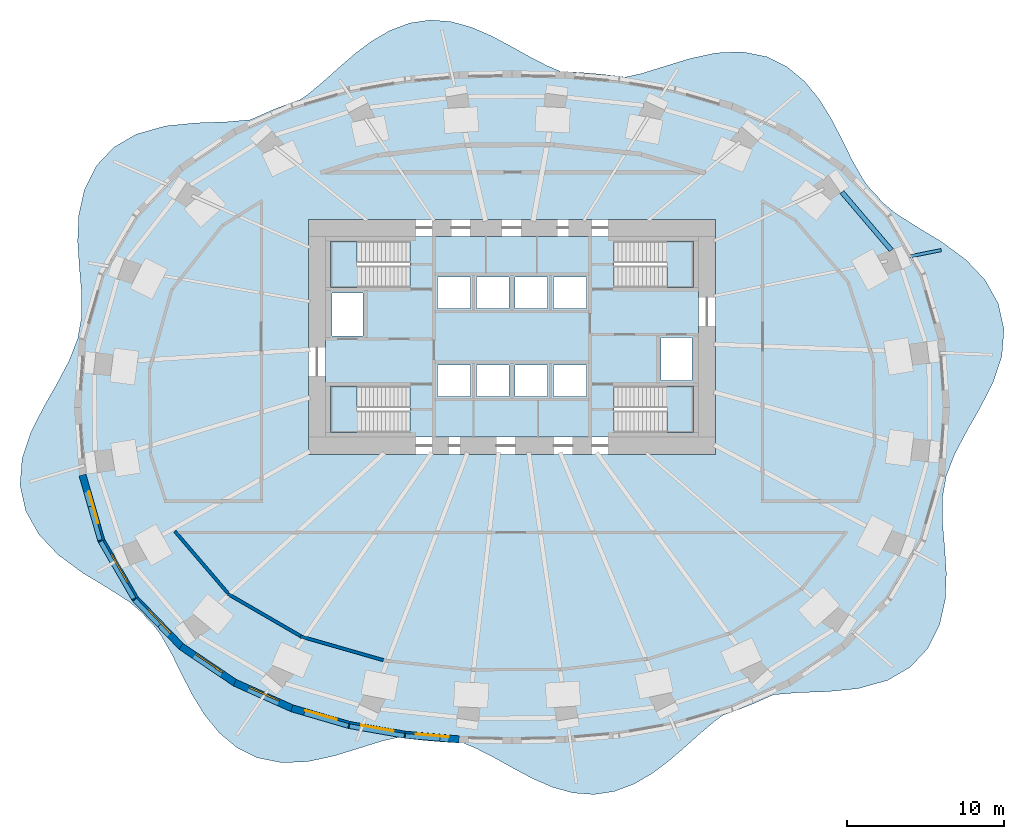
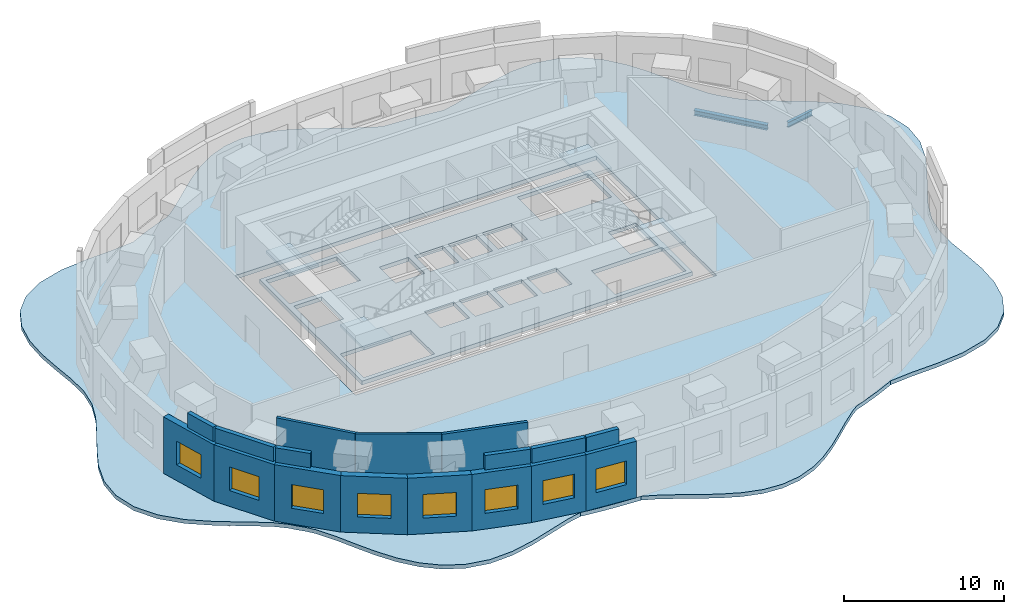
# One storey, part 3 of 9: 17 walls, 8 windows, 6 slabs, 2 beams, 8 openings, 4 elements without a shape of their own.
"""IFC4 building model written with IfcOpenShell, lengths in metres."""

from ifc_helpers import new_model, si_unit, direction, frame, frame_2d, origin, origin_2d, place, context, subcontext, project, spatial, polyline, rectangle, i_section, outline, extrude, material, layer, layer_set, material_profile, profile_set, type_object, element, fill, aggregate, save


model = new_model("IFC4")

# Units and contexts
model_context = context("Model", 3, precision=1e-05, world=origin(), true_north=direction((0.0, 1.0)))
body_context = subcontext(model_context, "Body", "Model", "MODEL_VIEW")
ifc_project = project(units=[si_unit("LENGTHUNIT", "METRE"), si_unit("AREAUNIT", "SQUARE_METRE"), si_unit("VOLUMEUNIT", "CUBIC_METRE"), si_unit("PLANEANGLEUNIT", "RADIAN"), si_unit("MASSUNIT", "GRAM", prefix="KILO")], contexts=[model_context])

# Site, building, storey
site_placement = place(None, origin())
site = spatial("IfcSite", under=ifc_project, at=site_placement, CompositionType="ELEMENT")
building_placement = place(site_placement, origin())
building = spatial("IfcBuilding", under=site, at=building_placement, Name="Rubra Terraces Tower", CompositionType="ELEMENT")
storey_placement = place(building_placement, frame((0.0, 0.0, 77.10009765625)))
storey = spatial("IfcBuildingStorey", under=building, at=storey_placement, Name="L17", CompositionType="ELEMENT", Elevation=77.10009765625)

# Beams
ifc_material_1 = material(Name="Steel Q355B", Category="steel")
ifc_material_profile_1 = material_profile(ifc_material_1, i_section(OverallWidth=0.199951171875, OverallDepth=0.39990234375, WebThickness=0.008056640625, FlangeThickness=0.012939453125, at=origin_2d()), Name="HN 400x200x8x13")
ifc_profile_set_1 = profile_set([ifc_material_profile_1], Name="Steel Q355B")
beam_type_1 = type_object("IfcBeamType", Name="CANTILEVER BEAM HN 400x200x8x13", PredefinedType="BEAM", material=ifc_profile_set_1)
beam_1_placement = place(storey_placement, frame((25.39599609375, 9.6279296875, -0.5), z_axis=(0.980195903265, 0.198030278548, 0.0), x_axis=(-0.198030278548, 0.980195903265, 0.0)))
element("IfcBeam", 1, at=beam_1_placement, inside=storey, type_object=beam_type_1, Name="beam-L17-cant-02", PredefinedType="BEAM", context=body_context, shape_type="SweptSolid", body=[
    extrude(i_section(OverallWidth=0.199951171875, OverallDepth=0.39990234375, WebThickness=0.008056640625, FlangeThickness=0.012939453125, at=origin_2d()), origin(), (0.0, 0.0, 1.0), 2.035400390625),
])
ifc_material_profile_2 = material_profile(ifc_material_1, i_section(OverallWidth=0.300048828125, OverallDepth=0.389892578125, WebThickness=0.010009765625, FlangeThickness=0.01611328125, at=origin_2d()), Name="HM 390x300x10x16")
ifc_profile_set_2 = profile_set([ifc_material_profile_2], Name="Steel Q355B")
beam_type_2 = type_object("IfcBeamType", Name="SPANDREL BEAM HM 390x300x10x16", PredefinedType="SPANDREL", material=ifc_profile_set_2)
beam_2_placement = place(storey_placement, frame((24.212890625, 10.02587890625, -0.4951171875), z_axis=(-0.648447050824, 0.761259760054, 0.0), x_axis=(-0.761259760054, -0.648447050824, 0.0)))
element("IfcBeam", 2, at=beam_2_placement, inside=storey, type_object=beam_type_2, Name="beam-L17-spandrel-02", PredefinedType="SPANDREL", context=body_context, shape_type="SweptSolid", body=[
    extrude(i_section(OverallWidth=0.300048828125, OverallDepth=0.389892578125, WebThickness=0.010009765625, FlangeThickness=0.01611328125, at=origin_2d()), origin(), (0.0, 0.0, 1.0), 4.860595703125),
])

# Slab
ifc_material_2 = material(Name="Concrete C40", Category="concrete")
ifc_layer_1 = layer(ifc_material_2, 0.300048828125)
ifc_layer_set_1 = layer_set([ifc_layer_1], Name="Concrete C40")
slab_type_1 = type_object("IfcSlabType", Name="Core floor slab 300 concrete", PredefinedType="FLOOR", material=ifc_layer_set_1)
slab_1_placement = place(storey_placement, frame((0.0, 0.0, -0.300048828125)))
element("IfcSlab", 3, at=slab_1_placement, inside=storey, type_object=slab_type_1, Name="CORE FLOOR SLAB L17", PredefinedType="FLOOR", context=body_context, shape_type="SweptSolid", body=[
    extrude(outline(polyline([(-11.89990234375, -1.89990234375), (-11.89990234375, 10.89990234375), (11.89990234375, 10.89990234375), (11.89990234375, -1.89990234375), (-11.89990234375, -1.89990234375)]), holes=[polyline([(11.597900390625, 1.347900390625), (6.501953125, 1.347900390625), (6.501953125, -1.597900390625), (11.597900390625, -1.597900390625), (11.597900390625, 1.347900390625)]), polyline([(11.597900390625, 7.652099609375), (11.597900390625, 10.597900390625), (6.501953125, 10.597900390625), (6.501953125, 7.652099609375), (11.597900390625, 7.652099609375)]), polyline([(9.5, 1.699951171875), (11.5, 1.699951171875), (11.5, 4.449951171875), (9.5, 4.449951171875), (9.5, 1.699951171875)]), polyline([(4.75, 0.699951171875), (4.75, 2.699951171875), (2.64990234375, 2.699951171875), (2.64990234375, 0.699951171875), (4.75, 0.699951171875)]), polyline([(4.75, 6.300048828125), (4.75, 8.300048828125), (2.64990234375, 8.300048828125), (2.64990234375, 6.300048828125), (4.75, 6.300048828125)]), polyline([(2.25, 0.699951171875), (2.25, 2.699951171875), (0.199951171875, 2.699951171875), (0.199951171875, 0.699951171875), (2.25, 0.699951171875)]), polyline([(2.25, 6.300048828125), (2.25, 8.300048828125), (0.199951171875, 8.300048828125), (0.199951171875, 6.300048828125), (2.25, 6.300048828125)]), polyline([(-0.199951171875, 0.699951171875), (-0.199951171875, 2.699951171875), (-2.25, 2.699951171875), (-2.25, 0.699951171875), (-0.199951171875, 0.699951171875)]), polyline([(-0.199951171875, 6.300048828125), (-0.199951171875, 8.300048828125), (-2.25, 8.300048828125), (-2.25, 6.300048828125), (-0.199951171875, 6.300048828125)]), polyline([(-2.64990234375, 0.699951171875), (-2.64990234375, 2.699951171875), (-4.75, 2.699951171875), (-4.75, 0.699951171875), (-2.64990234375, 0.699951171875)]), polyline([(-2.64990234375, 8.300048828125), (-4.75, 8.300048828125), (-4.75, 6.300048828125), (-2.64990234375, 6.300048828125), (-2.64990234375, 8.300048828125)]), polyline([(-11.597900390625, -1.597900390625), (-6.501953125, -1.597900390625), (-6.501953125, 1.347900390625), (-11.597900390625, 1.347900390625), (-11.597900390625, -1.597900390625)]), polyline([(-11.597900390625, 10.597900390625), (-11.597900390625, 7.652099609375), (-6.501953125, 7.652099609375), (-6.501953125, 10.597900390625), (-11.597900390625, 10.597900390625)]), polyline([(-9.5, 4.550048828125), (-9.5, 7.300048828125), (-11.5, 7.300048828125), (-11.5, 4.550048828125), (-9.5, 4.550048828125)])]), origin(), (0.0, 0.0, 1.0), 0.300048828125),
])

# Stair, slab
stair_type = type_object("IfcStairType", Name="Core stair 1400", PredefinedType="HALF_TURN_STAIR", material=ifc_material_2)
stair_1_placement = place(storey_placement, origin())
stair_1 = element("IfcStair", 4, at=stair_1_placement, inside=storey, type_object=stair_type, Name="L17 Exit stair S1", PredefinedType="HALF_TURN_STAIR")
ifc_layer_2 = layer(ifc_material_2, 0.199951171875)
ifc_layer_set_2 = layer_set([ifc_layer_2], Name="Concrete C40")
slab_type_2 = type_object("IfcSlabType", Name="Core stair landing 200", PredefinedType="LANDING", material=ifc_layer_set_2)
slab_2_placement = place(storey_placement, frame((0.0, 0.0, 2.0498046875)))
slab_2 = element("IfcSlab", 5, at=slab_2_placement, type_object=slab_type_2, Name="S1 landing 1", PredefinedType="LANDING", context=body_context, shape_type="SweptSolid", body=[
    extrude(outline(polyline([(-9.5, -0.199951171875), (-9.5, -1.60009765625), (-9.8798828125, -1.60009765625), (-9.89990234375, -1.60009765625), (-11.60009765625, -1.60009765625), (-11.60009765625, 1.35009765625), (-9.89990234375, 1.35009765625), (-9.8779296875, 1.35009765625), (-9.8779296875, -0.050048828125), (-9.8798828125, -0.050048828125), (-9.8798828125, -0.199951171875), (-9.5, -0.199951171875)])), origin(), (0.0, 0.0, 1.0), 0.2001953125),
])
aggregate(stair_1, [slab_2])

stair_2_placement = place(storey_placement, origin())
stair_2 = element("IfcStair", 6, at=stair_2_placement, inside=storey, type_object=stair_type, Name="L17 Exit stair S2", PredefinedType="HALF_TURN_STAIR")
slab_3_placement = place(storey_placement, frame((0.0, 0.0, 2.0498046875)))
slab_3 = element("IfcSlab", 7, at=slab_3_placement, type_object=slab_type_2, Name="S2 landing 1", PredefinedType="LANDING", context=body_context, shape_type="SweptSolid", body=[
    extrude(outline(polyline([(-9.5, 9.050048828125), (-9.5, 7.64990234375), (-9.89990234375, 7.64990234375), (-11.60009765625, 7.64990234375), (-11.60009765625, 10.60009765625), (-9.89990234375, 10.60009765625), (-9.8798828125, 10.60009765625), (-9.8779296875, 10.60009765625), (-9.8779296875, 9.199951171875), (-9.8798828125, 9.199951171875), (-9.8798828125, 9.050048828125), (-9.5, 9.050048828125)])), origin(), (0.0, 0.0, 1.0), 0.2001953125),
])
aggregate(stair_2, [slab_3])

stair_3_placement = place(storey_placement, origin())
stair_3 = element("IfcStair", 8, at=stair_3_placement, inside=storey, type_object=stair_type, Name="L17 Exit stair S3", PredefinedType="HALF_TURN_STAIR")
slab_4_placement = place(storey_placement, frame((0.0, 0.0, 2.0498046875)))
slab_4 = element("IfcSlab", 9, at=slab_4_placement, type_object=slab_type_2, Name="S3 landing 1", PredefinedType="LANDING", context=body_context, shape_type="SweptSolid", body=[
    extrude(outline(polyline([(9.8798828125, 9.050048828125), (9.8798828125, 9.199951171875), (9.5, 9.199951171875), (9.5, 10.60009765625), (9.8798828125, 10.60009765625), (9.89990234375, 10.60009765625), (11.60009765625, 10.60009765625), (11.60009765625, 7.64990234375), (9.89990234375, 7.64990234375), (9.8779296875, 7.64990234375), (9.8779296875, 9.050048828125), (9.8798828125, 9.050048828125)])), origin(), (0.0, 0.0, 1.0), 0.2001953125),
])
aggregate(stair_3, [slab_4])

stair_4_placement = place(storey_placement, origin())
stair_4 = element("IfcStair", 10, at=stair_4_placement, inside=storey, type_object=stair_type, Name="L17 Exit stair S4", PredefinedType="HALF_TURN_STAIR")
slab_5_placement = place(storey_placement, frame((0.0, 0.0, 2.0498046875)))
slab_5 = element("IfcSlab", 11, at=slab_5_placement, type_object=slab_type_2, Name="S4 landing 1", PredefinedType="LANDING", context=body_context, shape_type="SweptSolid", body=[
    extrude(outline(polyline([(9.8798828125, -0.199951171875), (9.8798828125, -0.050048828125), (9.5, -0.050048828125), (9.5, 1.35009765625), (9.8798828125, 1.35009765625), (9.89990234375, 1.35009765625), (11.60009765625, 1.35009765625), (11.60009765625, -1.60009765625), (9.89990234375, -1.60009765625), (9.8798828125, -1.60009765625), (9.8779296875, -1.60009765625), (9.8779296875, -0.199951171875), (9.8798828125, -0.199951171875)])), origin(), (0.0, 0.0, 1.0), 0.2001953125),
])
aggregate(stair_4, [slab_5])

# Slab
ifc_layer_3 = layer(ifc_material_2, 0.300048828125)
ifc_layer_set_3 = layer_set([ifc_layer_3], Name="Concrete C40")
slab_type_3 = type_object("IfcSlabType", Name="FLOOR SLAB 300 COMPOSITE", PredefinedType="FLOOR", material=ifc_layer_set_3)
slab_6_placement = place(storey_placement, frame((0.0, 0.0, -0.300048828125)))
element("IfcSlab", 12, at=slab_6_placement, inside=storey, type_object=slab_type_3, Name="FLOOR SLAB L17", PredefinedType="FLOOR", context=body_context, shape_type="SweptSolid", body=[
    extrude(outline(polyline([(11.048095703125, -21.68310546875), (12.050048828125, -20.785888671875), (13.029052734375, -19.968017578125), (13.51708984375, -19.631103515625), (14.115966796875, -19.428955078125), (15.365966796875, -18.944091796875), (16.591064453125, -18.39599609375), (16.672119140625, -18.35498046875), (18.218017578125, -18.218017578125), (20.1201171875, -18.153076171875), (22.094970703125, -17.958984375), (23.986083984375, -17.427001953125), (25.419921875, -16.591064453125), (26.54296875, -15.39697265625), (27.2900390625, -13.905029296875), (27.653076171875, -12.283935546875), (27.72509765625, -10.60595703125), (27.6201171875, -8.97412109375), (27.47509765625, -7.322021484375), (27.468017578125, -5.81005859375), (27.718994140625, -4.389892578125), (28.258056640625, -2.991943359375), (29.027099609375, -1.5380859375), (29.89990234375, 0.0), (30.714111328125, 1.594970703125), (31.27001953125, 3.26611328125), (31.404052734375, 4.97412109375), (31.041015625, 6.618896484375), (30.197021484375, 8.123046875), (28.97705078125, 9.4150390625), (27.410888671875, 10.569091796875), (25.825927734375, 11.528076171875), (24.405029296875, 12.43505859375), (23.59912109375, 13.125), (23.324951171875, 13.45703125), (22.9140625, 13.883056640625), (22.4599609375, 14.4560546875), (21.7109375, 15.77392578125), (21.092041015625, 17.032958984375), (20.4169921875, 18.347900390625), (19.6298828125, 19.6298828125), (18.6689453125, 20.805908203125), (17.5400390625, 21.7451171875), (16.259033203125, 22.3779296875), (14.679931640625, 22.69189453125), (13.01708984375, 22.616943359375), (11.337890625, 22.251953125), (9.77099609375, 21.76904296875), (8.261962890625, 21.300048828125), (7.239990234375, 21.072021484375), (6.864013671875, 21.1259765625), (5.7099609375, 21.256103515625), (4.552978515625, 21.35498046875), (3.39404296875, 21.427001953125), (3.092041015625, 21.43896484375), (2.26904296875, 21.784912109375), (1.14404296875, 22.364990234375), (0.0, 23.0), (-1.279052734375, 23.68505859375), (-2.580078125, 24.25390625), (-3.89892578125, 24.618896484375), (-5.22705078125, 24.718017578125), (-6.5380859375, 24.52197265625), (-7.81103515625, 24.041015625), (-8.944091796875, 23.3779296875), (-10.02294921875, 22.568115234375), (-11.048095703125, 21.68310546875), (-12.050048828125, 20.785888671875), (-13.029052734375, 19.968017578125), (-13.51708984375, 19.631103515625), (-14.115966796875, 19.428955078125), (-15.365966796875, 18.944091796875), (-16.591064453125, 18.39599609375), (-16.672119140625, 18.35498046875), (-18.218017578125, 18.218017578125), (-20.1201171875, 18.153076171875), (-22.094970703125, 17.958984375), (-23.986083984375, 17.427001953125), (-25.419921875, 16.591064453125), (-26.54296875, 15.39697265625), (-27.2900390625, 13.905029296875), (-27.653076171875, 12.283935546875), (-27.72509765625, 10.60595703125), (-27.6201171875, 8.97412109375), (-27.47509765625, 7.322021484375), (-27.468017578125, 5.81005859375), (-27.718994140625, 4.389892578125), (-28.258056640625, 2.991943359375), (-29.027099609375, 1.5380859375), (-29.89990234375, 0.0), (-30.714111328125, -1.594970703125), (-31.27001953125, -3.26611328125), (-31.404052734375, -4.97412109375), (-31.041015625, -6.618896484375), (-30.197021484375, -8.123046875), (-28.97705078125, -9.4150390625), (-27.410888671875, -10.569091796875), (-25.825927734375, -11.528076171875), (-24.405029296875, -12.43505859375), (-23.59912109375, -13.125), (-23.324951171875, -13.45703125), (-22.9140625, -13.883056640625), (-22.4599609375, -14.4560546875), (-21.7109375, -15.77392578125), (-21.092041015625, -17.032958984375), (-20.4169921875, -18.347900390625), (-19.6298828125, -19.6298828125), (-18.6689453125, -20.805908203125), (-17.5400390625, -21.7451171875), (-16.259033203125, -22.3779296875), (-14.679931640625, -22.69189453125), (-13.01708984375, -22.616943359375), (-11.337890625, -22.251953125), (-9.77099609375, -21.76904296875), (-8.261962890625, -21.300048828125), (-7.239990234375, -21.072021484375), (-6.864013671875, -21.1259765625), (-5.7099609375, -21.256103515625), (-4.552978515625, -21.35498046875), (-3.39404296875, -21.427001953125), (-3.092041015625, -21.43896484375), (-2.26904296875, -21.784912109375), (-1.14404296875, -22.364990234375), (0.0, -23.0), (1.279052734375, -23.68505859375), (2.580078125, -24.25390625), (3.89892578125, -24.618896484375), (5.22705078125, -24.718017578125), (6.5380859375, -24.52197265625), (7.81103515625, -24.041015625), (8.944091796875, -23.3779296875), (10.02294921875, -22.568115234375), (11.048095703125, -21.68310546875)]), holes=[polyline([(13.0, 12.0), (13.0, -3.0), (-13.0, -3.0), (-13.0, 12.0), (13.0, 12.0)])]), origin(), (0.0, 0.0, 1.0), 0.300048828125),
])

# Wall, opening, window
ifc_material_3 = material(Name="Brick masonry red-brown", Category="masonry")
ifc_layer_4 = layer(ifc_material_3, 0.449951171875)
ifc_layer_set_4 = layer_set([ifc_layer_4], Name="Brick masonry red-brown")
wall_type_1 = type_object("IfcWallType", Name="Brick facade wall 450", PredefinedType="SOLIDWALL", material=ifc_layer_set_4)
wall_1_placement = place(storey_placement, frame((-27.418701171875, -4.314697265625, 0.0), z_axis=(0.0, 0.0, 1.0), x_axis=(0.276281679347, -0.961076705397, 0.0)))
wall_1 = element("IfcWall", 13, at=wall_1_placement, inside=storey, type_object=wall_type_1, Name="Facade wall L17 bay 22", PredefinedType="SOLIDWALL", context=body_context, shape_type="SweptSolid", body=[
    extrude(rectangle(XDim=4.37939453125, YDim=0.449951171875, at=frame_2d((2.189697265625, 0.0))), origin(), (0.0, 0.0, 1.0), 4.2998046875),
])
opening_1_placement = place(wall_1_placement, frame((1.1396484375, 0.0, 1.199951171875)))
opening_1 = element("IfcOpeningElement", 14, at=opening_1_placement, cuts=wall_1, Name="Opening W4", PredefinedType="OPENING", context=body_context, shape_type="SweptSolid", body=[
    extrude(rectangle(XDim=2.10009765625, YDim=1.800048828125, at=frame_2d((1.050048828125, 0.89990234375))), frame((0.0, 0.23486328125, 0.0), z_axis=(0.0, -1.0, 0.0), x_axis=(1.0, 0.0, 0.0)), (0.0, 0.0, 1.0), 0.469970703125),
])
ifc_material_4 = material(Name="Clear glass in aluminium frame", Category="aluminium")
window_type = type_object("IfcWindowType", Name="Louvred plant window 2100 x 1800", PartitioningType="SINGLE_PANEL", PredefinedType="WINDOW", material=ifc_material_4)
window_1_placement = place(opening_1_placement, origin())
window_1 = element("IfcWindow", 15, at=window_1_placement, inside=storey, type_object=window_type, Name="Window L17 bay 22", OverallHeight=1.800048828125, OverallWidth=2.10009765625, PartitioningType="SINGLE_PANEL", PredefinedType="WINDOW", context=body_context, shape_type="SweptSolid", body=[
    extrude(rectangle(XDim=2.10009765625, YDim=1.800048828125, at=frame_2d((1.050048828125, 0.89990234375))), frame((0.0, 0.135009765625, 0.0), z_axis=(0.0, -1.0, 0.0), x_axis=(1.0, 0.0, 0.0)), (0.0, 0.0, 1.0), 0.06005859375),
])
fill(opening_1, window_1)

wall_2_placement = place(storey_placement, frame((-26.23046875, -8.472900390625, 0.0), z_axis=(0.0, 0.0, 1.0), x_axis=(0.502203169453, -0.864749661227, 0.0)))
wall_2 = element("IfcWall", 16, at=wall_2_placement, inside=storey, type_object=wall_type_1, Name="Facade wall L17 bay 23", PredefinedType="SOLIDWALL", context=body_context, shape_type="SweptSolid", body=[
    extrude(rectangle(XDim=4.352783203125, YDim=0.449951171875, at=frame_2d((2.17626953125, 0.0))), origin(), (0.0, 0.0, 1.0), 4.2998046875),
])
opening_2_placement = place(wall_2_placement, frame((1.12646484375, 0.0, 1.199951171875)))
opening_2 = element("IfcOpeningElement", 17, at=opening_2_placement, cuts=wall_2, Name="Opening W4", PredefinedType="OPENING", context=body_context, shape_type="SweptSolid", body=[
    extrude(rectangle(XDim=2.10009765625, YDim=1.800048828125, at=frame_2d((1.050048828125, 0.89990234375))), frame((0.0, 0.23486328125, 0.0), z_axis=(0.0, -1.0, 0.0), x_axis=(1.0, 0.0, 0.0)), (0.0, 0.0, 1.0), 0.469970703125),
])
window_2_placement = place(opening_2_placement, origin())
window_2 = element("IfcWindow", 18, at=window_2_placement, inside=storey, type_object=window_type, Name="Window L17 bay 23", OverallHeight=1.800048828125, OverallWidth=2.10009765625, PartitioningType="SINGLE_PANEL", PredefinedType="WINDOW", context=body_context, shape_type="SweptSolid", body=[
    extrude(rectangle(XDim=2.10009765625, YDim=1.800048828125, at=frame_2d((1.050048828125, 0.89990234375))), frame((0.0, 0.135009765625, 0.0), z_axis=(0.0, -1.0, 0.0), x_axis=(1.0, 0.0, 0.0)), (0.0, 0.0, 1.0), 0.06005859375),
])
fill(opening_2, window_2)

wall_3_placement = place(storey_placement, frame((-24.076904296875, -12.19384765625, 0.0), z_axis=(0.0, 0.0, 1.0), x_axis=(0.69406513137, -0.719912212298, 0.0)))
wall_3 = element("IfcWall", 19, at=wall_3_placement, inside=storey, type_object=wall_type_1, Name="Facade wall L17 bay 24", PredefinedType="SOLIDWALL", context=body_context, shape_type="SweptSolid", body=[
    extrude(rectangle(XDim=4.2978515625, YDim=0.449951171875, at=frame_2d((2.14892578125, 0.0))), origin(), (0.0, 0.0, 1.0), 4.2998046875),
])
opening_3_placement = place(wall_3_placement, frame((1.098876953125, 0.0, 1.199951171875)))
opening_3 = element("IfcOpeningElement", 20, at=opening_3_placement, cuts=wall_3, Name="Opening W4", PredefinedType="OPENING", context=body_context, shape_type="SweptSolid", body=[
    extrude(rectangle(XDim=2.10009765625, YDim=1.800048828125, at=frame_2d((1.050048828125, 0.89990234375))), frame((0.0, 0.23486328125, 0.0), z_axis=(0.0, -1.0, 0.0), x_axis=(1.0, 0.0, 0.0)), (0.0, 0.0, 1.0), 0.469970703125),
])
window_3_placement = place(opening_3_placement, origin())
window_3 = element("IfcWindow", 21, at=window_3_placement, inside=storey, type_object=window_type, Name="Window L17 bay 24", OverallHeight=1.800048828125, OverallWidth=2.10009765625, PartitioningType="SINGLE_PANEL", PredefinedType="WINDOW", context=body_context, shape_type="SweptSolid", body=[
    extrude(rectangle(XDim=2.10009765625, YDim=1.800048828125, at=frame_2d((1.050048828125, 0.89990234375))), frame((0.0, 0.135009765625, 0.0), z_axis=(0.0, -1.0, 0.0), x_axis=(1.0, 0.0, 0.0)), (0.0, 0.0, 1.0), 0.06005859375),
])
fill(opening_3, window_3)

wall_4_placement = place(storey_placement, frame((-21.130126953125, -15.257568359375, 0.0), z_axis=(0.0, 0.0, 1.0), x_axis=(0.829077786947, -0.559133278557, 0.0)))
wall_4 = element("IfcWall", 22, at=wall_4_placement, inside=storey, type_object=wall_type_1, Name="Facade wall L17 bay 25", PredefinedType="SOLIDWALL", context=body_context, shape_type="SweptSolid", body=[
    extrude(rectangle(XDim=4.1865234375, YDim=0.449951171875, at=frame_2d((2.09326171875, 0.0))), origin(), (0.0, 0.0, 1.0), 4.2998046875),
])
opening_4_placement = place(wall_4_placement, frame((1.043212890625, 0.0, 1.199951171875)))
opening_4 = element("IfcOpeningElement", 23, at=opening_4_placement, cuts=wall_4, Name="Opening W4", PredefinedType="OPENING", context=body_context, shape_type="SweptSolid", body=[
    extrude(rectangle(XDim=2.10009765625, YDim=1.800048828125, at=frame_2d((1.050048828125, 0.89990234375))), frame((0.0, 0.23486328125, 0.0), z_axis=(0.0, -1.0, 0.0), x_axis=(1.0, 0.0, 0.0)), (0.0, 0.0, 1.0), 0.469970703125),
])
window_4_placement = place(opening_4_placement, origin())
window_4 = element("IfcWindow", 24, at=window_4_placement, inside=storey, type_object=window_type, Name="Window L17 bay 25", OverallHeight=1.800048828125, OverallWidth=2.10009765625, PartitioningType="SINGLE_PANEL", PredefinedType="WINDOW", context=body_context, shape_type="SweptSolid", body=[
    extrude(rectangle(XDim=2.10009765625, YDim=1.800048828125, at=frame_2d((1.050048828125, 0.89990234375))), frame((0.0, 0.135009765625, 0.0), z_axis=(0.0, -1.0, 0.0), x_axis=(1.0, 0.0, 0.0)), (0.0, 0.0, 1.0), 0.06005859375),
])
fill(opening_4, window_4)

wall_5_placement = place(storey_placement, frame((-17.693115234375, -17.57958984375, 0.0), z_axis=(0.0, 0.0, 1.0), x_axis=(0.912580432801, -0.408897240966, 0.0)))
wall_5 = element("IfcWall", 25, at=wall_5_placement, inside=storey, type_object=wall_type_1, Name="Facade wall L17 bay 26", PredefinedType="SOLIDWALL", context=body_context, shape_type="SweptSolid", body=[
    extrude(rectangle(XDim=4.020751953125, YDim=0.449951171875, at=frame_2d((2.01025390625, 0.0))), origin(), (0.0, 0.0, 1.0), 4.2998046875),
])
opening_5_placement = place(wall_5_placement, frame((0.960205078125, 0.0, 1.199951171875)))
opening_5 = element("IfcOpeningElement", 26, at=opening_5_placement, cuts=wall_5, Name="Opening W4", PredefinedType="OPENING", context=body_context, shape_type="SweptSolid", body=[
    extrude(rectangle(XDim=2.10009765625, YDim=1.800048828125, at=frame_2d((1.050048828125, 0.89990234375))), frame((0.0, 0.23486328125, 0.0), z_axis=(0.0, -1.0, 0.0), x_axis=(1.0, 0.0, 0.0)), (0.0, 0.0, 1.0), 0.469970703125),
])
window_5_placement = place(opening_5_placement, origin())
window_5 = element("IfcWindow", 27, at=window_5_placement, inside=storey, type_object=window_type, Name="Window L17 bay 26", OverallHeight=1.800048828125, OverallWidth=2.10009765625, PartitioningType="SINGLE_PANEL", PredefinedType="WINDOW", context=body_context, shape_type="SweptSolid", body=[
    extrude(rectangle(XDim=2.10009765625, YDim=1.800048828125, at=frame_2d((1.050048828125, 0.89990234375))), frame((0.0, 0.135009765625, 0.0), z_axis=(0.0, -1.0, 0.0), x_axis=(1.0, 0.0, 0.0)), (0.0, 0.0, 1.0), 0.06005859375),
])
fill(opening_5, window_5)

wall_6_placement = place(storey_placement, frame((-14.052978515625, -19.212890625, 0.0), z_axis=(0.0, 0.0, 1.0), x_axis=(0.960131452472, -0.279548911594, 0.0)))
wall_6 = element("IfcWall", 28, at=wall_6_placement, inside=storey, type_object=wall_type_1, Name="Facade wall L17 bay 27", PredefinedType="SOLIDWALL", context=body_context, shape_type="SweptSolid", body=[
    extrude(rectangle(XDim=3.824462890625, YDim=0.449951171875, at=frame_2d((1.912109375, 0.0))), origin(), (0.0, 0.0, 1.0), 4.2998046875),
])
opening_6_placement = place(wall_6_placement, frame((0.8623046875, 0.0, 1.199951171875)))
opening_6 = element("IfcOpeningElement", 29, at=opening_6_placement, cuts=wall_6, Name="Opening W4", PredefinedType="OPENING", context=body_context, shape_type="SweptSolid", body=[
    extrude(rectangle(XDim=2.10009765625, YDim=1.800048828125, at=frame_2d((1.050048828125, 0.89990234375))), frame((0.0, 0.23486328125, 0.0), z_axis=(0.0, -1.0, 0.0), x_axis=(1.0, 0.0, 0.0)), (0.0, 0.0, 1.0), 0.469970703125),
])
window_6_placement = place(opening_6_placement, origin())
window_6 = element("IfcWindow", 30, at=window_6_placement, inside=storey, type_object=window_type, Name="Window L17 bay 27", OverallHeight=1.800048828125, OverallWidth=2.10009765625, PartitioningType="SINGLE_PANEL", PredefinedType="WINDOW", context=body_context, shape_type="SweptSolid", body=[
    extrude(rectangle(XDim=2.10009765625, YDim=1.800048828125, at=frame_2d((1.050048828125, 0.89990234375))), frame((0.0, 0.135009765625, 0.0), z_axis=(0.0, -1.0, 0.0), x_axis=(1.0, 0.0, 0.0)), (0.0, 0.0, 1.0), 0.06005859375),
])
fill(opening_6, window_6)

wall_7_placement = place(storey_placement, frame((-10.405029296875, -20.2763671875, 0.0), z_axis=(0.0, 0.0, 1.0), x_axis=(0.984962239205, -0.172769752386, 0.0)))
wall_7 = element("IfcWall", 31, at=wall_7_placement, inside=storey, type_object=wall_type_1, Name="Facade wall L17 bay 28", PredefinedType="SOLIDWALL", context=body_context, shape_type="SweptSolid", body=[
    extrude(rectangle(XDim=3.634521484375, YDim=0.449951171875, at=frame_2d((1.8173828125, 0.0))), origin(), (0.0, 0.0, 1.0), 4.2998046875),
])
opening_7_placement = place(wall_7_placement, frame((0.767333984375, 0.0, 1.199951171875)))
opening_7 = element("IfcOpeningElement", 32, at=opening_7_placement, cuts=wall_7, Name="Opening W4", PredefinedType="OPENING", context=body_context, shape_type="SweptSolid", body=[
    extrude(rectangle(XDim=2.10009765625, YDim=1.800048828125, at=frame_2d((1.050048828125, 0.89990234375))), frame((0.0, 0.23486328125, 0.0), z_axis=(0.0, -1.0, 0.0), x_axis=(1.0, 0.0, 0.0)), (0.0, 0.0, 1.0), 0.469970703125),
])
window_7_placement = place(opening_7_placement, origin())
window_7 = element("IfcWindow", 33, at=window_7_placement, inside=storey, type_object=window_type, Name="Window L17 bay 28", OverallHeight=1.800048828125, OverallWidth=2.10009765625, PartitioningType="SINGLE_PANEL", PredefinedType="WINDOW", context=body_context, shape_type="SweptSolid", body=[
    extrude(rectangle(XDim=2.10009765625, YDim=1.800048828125, at=frame_2d((1.050048828125, 0.89990234375))), frame((0.0, 0.135009765625, 0.0), z_axis=(0.0, -1.0, 0.0), x_axis=(1.0, 0.0, 0.0)), (0.0, 0.0, 1.0), 0.06005859375),
])
fill(opening_7, window_7)

wall_8_placement = place(storey_placement, frame((-6.844482421875, -20.90185546875, 0.0), z_axis=(0.0, 0.0, 1.0), x_axis=(0.99625818993, -0.086426957587, 0.0)))
wall_8 = element("IfcWall", 34, at=wall_8_placement, inside=storey, type_object=wall_type_1, Name="Facade wall L17 bay 29", PredefinedType="SOLIDWALL", context=body_context, shape_type="SweptSolid", body=[
    extrude(rectangle(XDim=3.48291015625, YDim=0.449951171875, at=frame_2d((1.741455078125, 0.0))), origin(), (0.0, 0.0, 1.0), 4.2998046875),
])
opening_8_placement = place(wall_8_placement, frame((0.69140625, 0.0, 1.199951171875)))
opening_8 = element("IfcOpeningElement", 35, at=opening_8_placement, cuts=wall_8, Name="Opening W4", PredefinedType="OPENING", context=body_context, shape_type="SweptSolid", body=[
    extrude(rectangle(XDim=2.10009765625, YDim=1.800048828125, at=frame_2d((1.050048828125, 0.89990234375))), frame((0.0, 0.23486328125, 0.0), z_axis=(0.0, -1.0, 0.0), x_axis=(1.0, 0.0, 0.0)), (0.0, 0.0, 1.0), 0.469970703125),
])
window_8_placement = place(opening_8_placement, origin())
window_8 = element("IfcWindow", 36, at=window_8_placement, inside=storey, type_object=window_type, Name="Window L17 bay 29", OverallHeight=1.800048828125, OverallWidth=2.10009765625, PartitioningType="SINGLE_PANEL", PredefinedType="WINDOW", context=body_context, shape_type="SweptSolid", body=[
    extrude(rectangle(XDim=2.10009765625, YDim=1.800048828125, at=frame_2d((1.050048828125, 0.89990234375))), frame((0.0, 0.135009765625, 0.0), z_axis=(0.0, -1.0, 0.0), x_axis=(1.0, 0.0, 0.0)), (0.0, 0.0, 1.0), 0.06005859375),
])
fill(opening_8, window_8)

# Walls
ifc_layer_5 = layer(ifc_material_3, 0.300048828125)
ifc_layer_set_5 = layer_set([ifc_layer_5], Name="Brick masonry red-brown")
wall_type_2 = type_object("IfcWallType", Name="Brick parapet 300", PredefinedType="PARAPET", material=ifc_layer_set_5)
wall_9_placement = place(storey_placement, frame((-26.918212890625, -6.327880859375, 4.5), z_axis=(0.0, 0.0, 1.0), x_axis=(0.276376655945, -0.961049397299, 0.0)))
element("IfcWall", 37, at=wall_9_placement, inside=storey, type_object=wall_type_2, Name="Parapet L17 bay 22", PredefinedType="PARAPET", context=body_context, shape_type="SweptSolid", body=[
    extrude(rectangle(XDim=2.2392578125, YDim=0.300048828125, at=frame_2d((1.11962890625, 0.0))), origin(), (0.0, 0.0, 1.0), 1.099853515625),
])
wall_10_placement = place(storey_placement, frame((-26.26171875, -8.56884765625, 4.5), z_axis=(0.0, 0.0, 1.0), x_axis=(0.502258354831, -0.864717609976, 0.0)))
element("IfcWall", 38, at=wall_10_placement, inside=storey, type_object=wall_type_2, Name="Parapet L17 bay 23", PredefinedType="PARAPET", context=body_context, shape_type="SweptSolid", body=[
    extrude(rectangle(XDim=4.21923828125, YDim=0.300048828125, at=frame_2d((2.109619140625, 0.0))), origin(), (0.0, 0.0, 1.0), 1.099853515625),
])
wall_11_placement = place(storey_placement, frame((-24.0849609375, -12.293701171875, 4.5), z_axis=(0.0, 0.0, 1.0), x_axis=(0.69408561192, -0.719892466501, 0.0)))
element("IfcWall", 39, at=wall_11_placement, inside=storey, type_object=wall_type_2, Name="Parapet L17 bay 24", PredefinedType="PARAPET", context=body_context, shape_type="SweptSolid", body=[
    extrude(rectangle(XDim=2.260986328125, YDim=0.300048828125, at=frame_2d((1.13037109375, 0.0))), origin(), (0.0, 0.0, 1.0), 1.099853515625),
])
wall_12_placement = place(storey_placement, frame((-13.266357421875, -19.520263671875, 4.5), z_axis=(0.0, 0.0, 1.0), x_axis=(0.960144197549, -0.279505133965, 0.0)))
element("IfcWall", 40, at=wall_12_placement, inside=storey, type_object=wall_type_2, Name="Parapet L17 bay 27", PredefinedType="PARAPET", context=body_context, shape_type="SweptSolid", body=[
    extrude(rectangle(XDim=2.9365234375, YDim=0.300048828125, at=frame_2d((1.46826171875, 0.0))), origin(), (0.0, 0.0, 1.0), 1.099853515625),
])
wall_13_placement = place(storey_placement, frame((-10.372314453125, -20.3583984375, 4.5), z_axis=(0.0, 0.0, 1.0), x_axis=(0.984970182858, -0.172724459419, 0.0)))
element("IfcWall", 41, at=wall_13_placement, inside=storey, type_object=wall_type_2, Name="Parapet L17 bay 28", PredefinedType="PARAPET", context=body_context, shape_type="SweptSolid", body=[
    extrude(rectangle(XDim=3.544921875, YDim=0.300048828125, at=frame_2d((1.7724609375, 0.0))), origin(), (0.0, 0.0, 1.0), 1.099853515625),
])
wall_14_placement = place(storey_placement, frame((-6.80810546875, -20.980224609375, 4.5), z_axis=(0.0, 0.0, 1.0), x_axis=(0.99625342501, -0.086481866051, 0.0)))
element("IfcWall", 42, at=wall_14_placement, inside=storey, type_object=wall_type_2, Name="Parapet L17 bay 29", PredefinedType="PARAPET", context=body_context, shape_type="SweptSolid", body=[
    extrude(rectangle(XDim=2.21044921875, YDim=0.300048828125, at=frame_2d((1.105224609375, 0.0))), origin(), (0.0, 0.0, 1.0), 1.099853515625),
])
ifc_material_5 = material(Name="Blockwork", Category="masonry")
ifc_layer_6 = layer(ifc_material_5, 0.199951171875)
ifc_layer_set_6 = layer_set([ifc_layer_6], Name="Blockwork")
wall_type_3 = type_object("IfcWallType", Name="Corridor partition 200 blockwork", PredefinedType="PARTITIONING", material=ifc_layer_set_6)
wall_15_placement = place(storey_placement, frame((-8.2119140625, -16.14404296875, 0.0), z_axis=(0.0, 0.0, 1.0), x_axis=(-0.961229052449, 0.275751171762, 0.0)))
element("IfcWall", 43, at=wall_15_placement, inside=storey, type_object=wall_type_3, Name="Partition wall", PredefinedType="PARTITIONING", context=body_context, shape_type="SweptSolid", body=[
    extrude(rectangle(XDim=5.5087890625, YDim=0.199951171875, at=frame_2d((2.75439453125, 0.0))), origin(), (0.0, 0.0, 1.0), 4.2998046875),
])
wall_16_placement = place(storey_placement, frame((-13.498046875, -14.60302734375, 0.0), z_axis=(0.0, 0.0, 1.0), x_axis=(-0.865099094035, 0.501600994317, 0.0)))
element("IfcWall", 44, at=wall_16_placement, inside=storey, type_object=wall_type_3, Name="Partition wall", PredefinedType="PARTITIONING", context=body_context, shape_type="SweptSolid", body=[
    extrude(rectangle(XDim=5.3671875, YDim=0.199951171875, at=frame_2d((2.68359375, 0.0))), origin(), (0.0, 0.0, 1.0), 4.2998046875),
])
wall_17_placement = place(storey_placement, frame((-18.118896484375, -11.885009765625, 0.0), z_axis=(0.0, 0.0, 1.0), x_axis=(-0.650459744862, 0.759540729858, 0.0)))
element("IfcWall", 45, at=wall_17_placement, inside=storey, type_object=wall_type_3, Name="Partition wall", PredefinedType="PARTITIONING", context=body_context, shape_type="SweptSolid", body=[
    extrude(rectangle(XDim=5.21484375, YDim=0.199951171875, at=frame_2d((2.607421875, 0.0))), origin(), (0.0, 0.0, 1.0), 4.2998046875),
])

save(model, "model.ifc")
